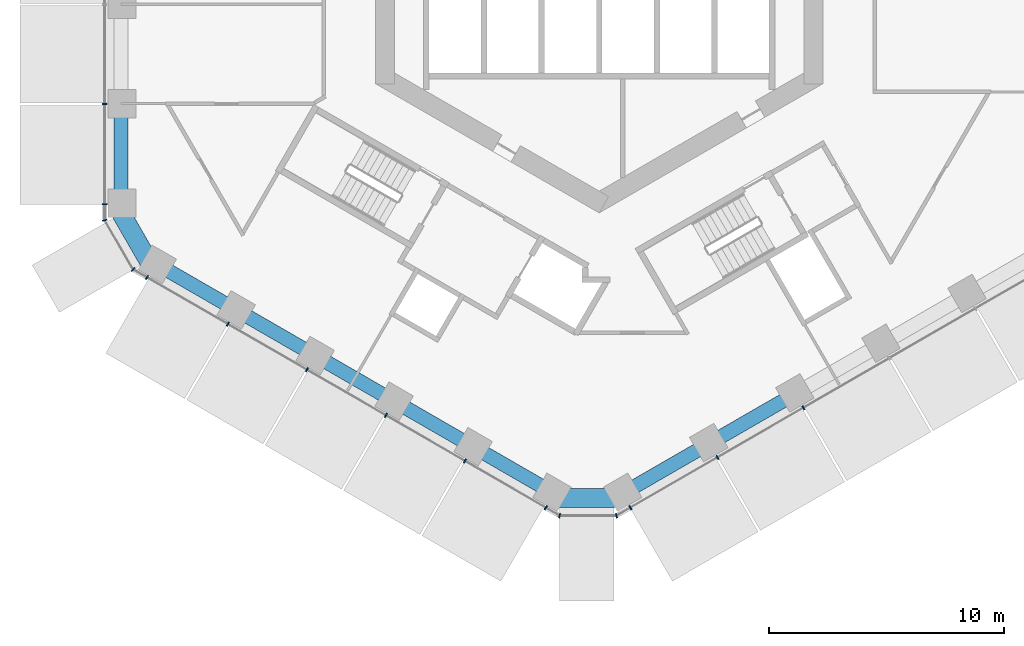
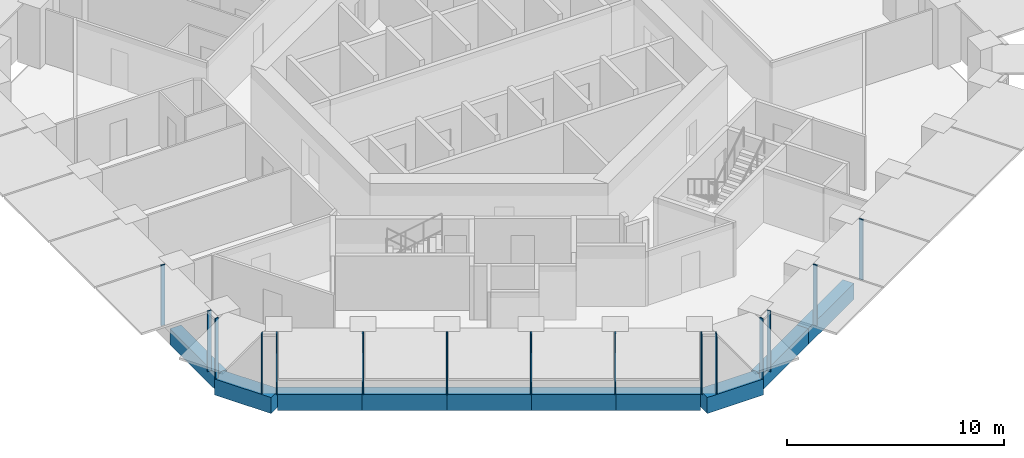
# One storey, part 2 of 19: 15 members, 10 beams, 5 elements without a shape of their own.
"""IFC4 building model written with IfcOpenShell, lengths in metres."""

from ifc_helpers import new_model, si_unit, direction, frame, origin, origin_2d, place, context, subcontext, project, spatial, rectangle, extrude, material, layer, layer_set, material_profile, profile_set, type_object, element, aggregate, save


model = new_model("IFC4")

# Units and contexts
model_context = context("Model", 3, precision=1e-05, world=origin(), true_north=direction((0.0, 1.0)))
body_context = subcontext(model_context, "Body", "Model", "MODEL_VIEW")
ifc_project = project(units=[si_unit("LENGTHUNIT", "METRE"), si_unit("AREAUNIT", "SQUARE_METRE"), si_unit("VOLUMEUNIT", "CUBIC_METRE"), si_unit("PLANEANGLEUNIT", "RADIAN"), si_unit("MASSUNIT", "GRAM", prefix="KILO")], contexts=[model_context])

# Site, building, storey
site_placement = place(None, origin())
site = spatial("IfcSite", under=ifc_project, at=site_placement, CompositionType="ELEMENT")
building_placement = place(site_placement, origin())
building = spatial("IfcBuilding", under=site, at=building_placement, Name="Ayvan Gate Tower", CompositionType="ELEMENT")
storey_placement = place(building_placement, frame((0.0, 0.0, 52.699951171875)))
storey = spatial("IfcBuildingStorey", under=building, at=storey_placement, Name="L13", CompositionType="ELEMENT", Elevation=52.699951171875)

# Beams
ifc_material_1 = material(Name="Concrete C40/50", Category="concrete")
ifc_material_profile_1 = material_profile(ifc_material_1, rectangle(XDim=0.800048828125, YDim=0.89990234375, at=origin_2d()), Name="RC 800x900")
ifc_profile_set_1 = profile_set([ifc_material_profile_1], Name="Concrete C40/50")
beam_type_1 = type_object("IfcBeamType", Name="Corner spandrel beam RC 800x900 C40/50", PredefinedType="BEAM", material=ifc_profile_set_1)
for number, where, z_axis, x_axis, name in (
    (1, (-20.514404296875, -10.64404296875, -0.800048828125), (0.499990139034, -0.866031096941, 0.0), (0.866031096941, 0.499990139034, 0.0), "SB-L13-24"),
    (2, (-1.960693359375, -23.087890625, -0.800048828125), (1.0, 0.0, 0.0), (0.0, 1.0, 0.0), "SB-L13-30"),
):
    element("IfcBeam", number, at=place(storey_placement, frame(where, z_axis=z_axis, x_axis=x_axis)), inside=storey, type_object=beam_type_1, Name=name, PredefinedType="BEAM", context=body_context, shape_type="SweptSolid", body=[
        extrude(rectangle(XDim=0.800048828125, YDim=0.89990234375, at=origin_2d()), origin(), (0.0, 0.0, 1.0), 3.0),
    ])
ifc_material_profile_2 = material_profile(ifc_material_1, rectangle(XDim=0.60009765625, YDim=0.89990234375, at=origin_2d()), Name="RC 600x900")
ifc_profile_set_2 = profile_set([ifc_material_profile_2], Name="Concrete C40/50")
beam_type_2 = type_object("IfcBeamType", Name="Spandrel beam RC 600x900 C40/50", PredefinedType="BEAM", material=ifc_profile_set_2)
beam_1_placement = place(storey_placement, frame((-20.32373046875, -6.3203125, -0.800048828125), z_axis=(0.0, -1.0, 0.0), x_axis=(1.0, 0.0, 0.0)))
element("IfcBeam", 3, at=beam_1_placement, inside=storey, type_object=beam_type_2, Name="SB-L13-23", PredefinedType="BEAM", context=body_context, shape_type="SweptSolid", body=[
    extrude(rectangle(XDim=0.60009765625, YDim=0.89990234375, at=origin_2d()), origin(), (0.0, 0.0, 1.0), 4.213623046875),
])
for number, where, z_axis, x_axis, name in (
    (4, (-18.82373046875, -13.132080078125, -0.800048828125), (0.866012281633, -0.500022727545, 0.0), (0.500022727545, 0.866012281633, 0.0), "SB-L13-25"),
    (5, (-15.451171875, -15.079345703125, -0.800048828125), (0.866039427992, -0.499975708574, 0.0), (0.499975708574, 0.866039427992, 0.0), "SB-L13-26"),
    (6, (-12.07861328125, -17.0263671875, -0.800048828125), (0.866012281633, -0.500022727545, 0.0), (0.500022727545, 0.866012281633, 0.0), "SB-L13-27"),
    (7, (-8.7060546875, -18.9736328125, -0.800048828125), (0.866039427992, -0.499975708574, 0.0), (0.499975708574, 0.866039427992, 0.0), "SB-L13-28"),
):
    element("IfcBeam", number, at=place(storey_placement, frame(where, z_axis=z_axis, x_axis=x_axis)), inside=storey, type_object=beam_type_2, Name=name, PredefinedType="BEAM", context=body_context, shape_type="SweptSolid", body=[
        extrude(rectangle(XDim=0.60009765625, YDim=0.89990234375, at=origin_2d()), origin(), (0.0, 0.0, 1.0), 3.894287109375),
    ])
beam_2_placement = place(storey_placement, frame((-5.33349609375, -20.920654296875, -0.800048828125), z_axis=(0.86602795451, -0.499995581988, 0.0), x_axis=(0.499995581988, 0.86602795451, 0.0)))
element("IfcBeam", 8, at=beam_2_placement, inside=storey, type_object=beam_type_2, Name="SB-L13-29", PredefinedType="BEAM", context=body_context, shape_type="SweptSolid", body=[
    extrude(rectangle(XDim=0.60009765625, YDim=0.89990234375, at=origin_2d()), origin(), (0.0, 0.0, 1.0), 3.89453125),
])
beam_3_placement = place(storey_placement, frame((1.039306640625, -22.867919921875, -0.800048828125), z_axis=(0.866027338831, 0.499996648386, 0.0), x_axis=(-0.499996648386, 0.866027338831, 0.0)))
element("IfcBeam", 9, at=beam_3_placement, inside=storey, type_object=beam_type_2, Name="SB-L13-31", PredefinedType="BEAM", context=body_context, shape_type="SweptSolid", body=[
    extrude(rectangle(XDim=0.60009765625, YDim=0.89990234375, at=origin_2d()), origin(), (0.0, 0.0, 1.0), 4.21337890625),
])
beam_4_placement = place(storey_placement, frame((4.688232421875, -20.76123046875, -0.800048828125), z_axis=(0.866016734951, 0.50001501456, 0.0), x_axis=(-0.50001501456, 0.866016734951, 0.0)))
element("IfcBeam", 10, at=beam_4_placement, inside=storey, type_object=beam_type_2, Name="SB-L13-32", PredefinedType="BEAM", context=body_context, shape_type="SweptSolid", body=[
    extrude(rectangle(XDim=0.60009765625, YDim=0.89990234375, at=origin_2d()), origin(), (0.0, 0.0, 1.0), 4.213623046875),
])

# Curtain wall, members
ifc_material_2 = material(Name="Bronze anodised aluminium", Category="aluminium")
ifc_layer_1 = layer(ifc_material_2, 0.199951171875)
ifc_layer_set_1 = layer_set([ifc_layer_1], Name="Bronze anodised aluminium")
curtain_wall_type_1 = type_object("IfcCurtainWallType", Name="Stick curtain wall CW-1", PredefinedType="NOTDEFINED", material=ifc_layer_set_1)
curtain_wall_1_placement = place(storey_placement, origin())
curtain_wall_1 = element("IfcCurtainWall", 11, at=curtain_wall_1_placement, inside=storey, type_object=curtain_wall_type_1, Name="Stick curtain wall CW-1 L13", PredefinedType="NOTDEFINED")
ifc_material_profile_3 = material_profile(ifc_material_2, rectangle(XDim=0.199951171875, YDim=0.06005859375, at=origin_2d()), Name="Stick curtain wall CW-1 mullion 200 x 60")
ifc_profile_set_3 = profile_set([ifc_material_profile_3], Name="Bronze anodised aluminium")
member_type_1 = type_object("IfcMemberType", Name="Stick curtain wall CW-1 mullion 200 x 60", PredefinedType="MULLION", material=ifc_profile_set_3)
member_1_placement = place(storey_placement, frame((-21.009765625, -6.335693359375, 0.0), z_axis=(0.0, 0.0, 1.0), x_axis=(-1.0, 0.0, 0.0)))
member_1 = element("IfcMember", 12, at=member_1_placement, type_object=member_type_1, Name="CW-1 mullion 5", PredefinedType="MULLION", context=body_context, shape_type="SweptSolid", body=[
    extrude(rectangle(XDim=0.199951171875, YDim=0.06005859375, at=origin_2d()), origin(), (0.0, 0.0, 1.0), 3.400146484375),
])
member_2_placement = place(storey_placement, frame((-21.009765625, -10.604248046875, 0.0), z_axis=(0.0, 0.0, 1.0), x_axis=(-1.0, 0.0, 0.0)))
member_2 = element("IfcMember", 13, at=member_2_placement, type_object=member_type_1, Name="CW-1 mullion 6", PredefinedType="MULLION", context=body_context, shape_type="SweptSolid", body=[
    extrude(rectangle(XDim=0.199951171875, YDim=0.06005859375, at=origin_2d()), origin(), (0.0, 0.0, 1.0), 3.400146484375),
])
aggregate(curtain_wall_1, [member_1, member_2])

curtain_wall_2_placement = place(storey_placement, origin())
curtain_wall_2 = element("IfcCurtainWall", 14, at=curtain_wall_2_placement, inside=storey, type_object=curtain_wall_type_1, Name="Stick curtain wall CW-1 L13", PredefinedType="NOTDEFINED")
member_3_placement = place(storey_placement, frame((-19.213623046875, -13.71533203125, 0.0), z_axis=(0.0, 0.0, 1.0), x_axis=(-0.5, -0.866025403784, 0.0)))
member_3 = element("IfcMember", 15, at=member_3_placement, type_object=member_type_1, Name="CW-1 mullion 1", PredefinedType="MULLION", context=body_context, shape_type="SweptSolid", body=[
    extrude(rectangle(XDim=0.199951171875, YDim=0.06005859375, at=origin_2d()), origin(), (0.0, 0.0, 1.0), 3.400146484375),
])
member_4_placement = place(storey_placement, frame((-15.774658203125, -15.70068359375, 0.0), z_axis=(0.0, 0.0, 1.0), x_axis=(-0.5, -0.866025403784, 0.0)))
member_4 = element("IfcMember", 16, at=member_4_placement, type_object=member_type_1, Name="CW-1 mullion 2", PredefinedType="MULLION", context=body_context, shape_type="SweptSolid", body=[
    extrude(rectangle(XDim=0.199951171875, YDim=0.06005859375, at=origin_2d()), origin(), (0.0, 0.0, 1.0), 3.400146484375),
])
member_5_placement = place(storey_placement, frame((-12.419677734375, -17.6376953125, 0.0), z_axis=(0.0, 0.0, 1.0), x_axis=(-0.5, -0.866025403784, 0.0)))
member_5 = element("IfcMember", 17, at=member_5_placement, type_object=member_type_1, Name="CW-1 mullion 3", PredefinedType="MULLION", context=body_context, shape_type="SweptSolid", body=[
    extrude(rectangle(XDim=0.199951171875, YDim=0.06005859375, at=origin_2d()), origin(), (0.0, 0.0, 1.0), 3.400146484375),
])
member_6_placement = place(storey_placement, frame((-9.064697265625, -19.57470703125, 0.0), z_axis=(0.0, 0.0, 1.0), x_axis=(-0.5, -0.866025403784, 0.0)))
member_6 = element("IfcMember", 18, at=member_6_placement, type_object=member_type_1, Name="CW-1 mullion 4", PredefinedType="MULLION", context=body_context, shape_type="SweptSolid", body=[
    extrude(rectangle(XDim=0.199951171875, YDim=0.06005859375, at=origin_2d()), origin(), (0.0, 0.0, 1.0), 3.400146484375),
])
member_7_placement = place(storey_placement, frame((-5.709716796875, -21.51171875, 0.0), z_axis=(0.0, 0.0, 1.0), x_axis=(-0.5, -0.866025403784, 0.0)))
member_7 = element("IfcMember", 19, at=member_7_placement, type_object=member_type_1, Name="CW-1 mullion 5", PredefinedType="MULLION", context=body_context, shape_type="SweptSolid", body=[
    extrude(rectangle(XDim=0.199951171875, YDim=0.06005859375, at=origin_2d()), origin(), (0.0, 0.0, 1.0), 3.400146484375),
])
member_8_placement = place(storey_placement, frame((-2.27099609375, -23.4970703125, 0.0), z_axis=(0.0, 0.0, 1.0), x_axis=(-0.5, -0.866025403784, 0.0)))
member_8 = element("IfcMember", 20, at=member_8_placement, type_object=member_type_1, Name="CW-1 mullion 6", PredefinedType="MULLION", context=body_context, shape_type="SweptSolid", body=[
    extrude(rectangle(XDim=0.199951171875, YDim=0.06005859375, at=origin_2d()), origin(), (0.0, 0.0, 1.0), 3.400146484375),
])
aggregate(curtain_wall_2, [member_3, member_4, member_5, member_6, member_7, member_8])

curtain_wall_3_placement = place(storey_placement, origin())
curtain_wall_3 = element("IfcCurtainWall", 21, at=curtain_wall_3_placement, inside=storey, type_object=curtain_wall_type_1, Name="Stick curtain wall CW-1 L13", PredefinedType="NOTDEFINED")
member_9_placement = place(storey_placement, frame((1.3212890625, -23.4970703125, 0.0), z_axis=(0.0, 0.0, 1.0), x_axis=(0.5, -0.866025403784, 0.0)))
member_9 = element("IfcMember", 22, at=member_9_placement, type_object=member_type_1, Name="CW-1 mullion 1", PredefinedType="MULLION", context=body_context, shape_type="SweptSolid", body=[
    extrude(rectangle(XDim=0.199951171875, YDim=0.06005859375, at=origin_2d()), origin(), (0.0, 0.0, 1.0), 3.400146484375),
])
member_10_placement = place(storey_placement, frame((5.0185546875, -21.362548828125, 0.0), z_axis=(0.0, 0.0, 1.0), x_axis=(0.5, -0.866025403784, 0.0)))
member_10 = element("IfcMember", 23, at=member_10_placement, type_object=member_type_1, Name="CW-1 mullion 2", PredefinedType="MULLION", context=body_context, shape_type="SweptSolid", body=[
    extrude(rectangle(XDim=0.199951171875, YDim=0.06005859375, at=origin_2d()), origin(), (0.0, 0.0, 1.0), 3.400146484375),
])
member_11_placement = place(storey_placement, frame((8.67578125, -19.251220703125, 0.0), z_axis=(0.0, 0.0, 1.0), x_axis=(0.5, -0.866025403784, 0.0)))
member_11 = element("IfcMember", 24, at=member_11_placement, type_object=member_type_1, Name="CW-1 mullion 3", PredefinedType="MULLION", context=body_context, shape_type="SweptSolid", body=[
    extrude(rectangle(XDim=0.199951171875, YDim=0.06005859375, at=origin_2d()), origin(), (0.0, 0.0, 1.0), 3.400146484375),
])
aggregate(curtain_wall_3, [member_9, member_10, member_11])

ifc_layer_2 = layer(ifc_material_2, 0.199951171875)
ifc_layer_set_2 = layer_set([ifc_layer_2], Name="Bronze anodised aluminium")
curtain_wall_type_2 = type_object("IfcCurtainWallType", Name="Stick curtain wall CW-6", PredefinedType="NOTDEFINED", material=ifc_layer_set_2)
curtain_wall_4_placement = place(storey_placement, origin())
curtain_wall_4 = element("IfcCurtainWall", 25, at=curtain_wall_4_placement, inside=storey, type_object=curtain_wall_type_2, Name="Stick curtain wall CW-6 L13", PredefinedType="NOTDEFINED")
ifc_material_profile_4 = material_profile(ifc_material_2, rectangle(XDim=0.199951171875, YDim=0.050048828125, at=origin_2d()), Name="Stick curtain wall CW-6 mullion 200 x 50")
ifc_profile_set_4 = profile_set([ifc_material_profile_4], Name="Bronze anodised aluminium")
member_type_2 = type_object("IfcMemberType", Name="Stick curtain wall CW-6 mullion 200 x 50", PredefinedType="MULLION", material=ifc_profile_set_4)
member_12_placement = place(storey_placement, frame((-21.009765625, -11.2841796875, 0.0), z_axis=(0.0, 0.0, 1.0), x_axis=(-0.965925826289, -0.258819045103, 0.0)))
member_12 = element("IfcMember", 26, at=member_12_placement, type_object=member_type_2, Name="CW-6 mullion 2", PredefinedType="MULLION", context=body_context, shape_type="SweptSolid", body=[
    extrude(rectangle(XDim=0.199951171875, YDim=0.050048828125, at=origin_2d()), origin(), (0.0, 0.0, 1.0), 3.400146484375),
])
member_13_placement = place(storey_placement, frame((-19.802490234375, -13.375244140625, 0.0), z_axis=(0.0, 0.0, 1.0), x_axis=(-0.707106781187, -0.707106781187, 0.0)))
member_13 = element("IfcMember", 27, at=member_13_placement, type_object=member_type_2, Name="CW-6 mullion 3", PredefinedType="MULLION", context=body_context, shape_type="SweptSolid", body=[
    extrude(rectangle(XDim=0.199951171875, YDim=0.050048828125, at=origin_2d()), origin(), (0.0, 0.0, 1.0), 3.400146484375),
])
aggregate(curtain_wall_4, [member_12, member_13])

curtain_wall_5_placement = place(storey_placement, origin())
curtain_wall_5 = element("IfcCurtainWall", 28, at=curtain_wall_5_placement, inside=storey, type_object=curtain_wall_type_2, Name="Stick curtain wall CW-6 L13", PredefinedType="NOTDEFINED")
member_14_placement = place(storey_placement, frame((-1.68212890625, -23.837158203125, 0.0), z_axis=(0.0, 0.0, 1.0), x_axis=(-0.258819045103, -0.965925826289, 0.0)))
member_14 = element("IfcMember", 29, at=member_14_placement, type_object=member_type_2, Name="CW-6 mullion 2", PredefinedType="MULLION", context=body_context, shape_type="SweptSolid", body=[
    extrude(rectangle(XDim=0.199951171875, YDim=0.050048828125, at=origin_2d()), origin(), (0.0, 0.0, 1.0), 3.400146484375),
])
member_15_placement = place(storey_placement, frame((0.732421875, -23.837158203125, 0.0), z_axis=(0.0, 0.0, 1.0), x_axis=(0.258819045103, -0.965925826289, 0.0)))
member_15 = element("IfcMember", 30, at=member_15_placement, type_object=member_type_2, Name="CW-6 mullion 3", PredefinedType="MULLION", context=body_context, shape_type="SweptSolid", body=[
    extrude(rectangle(XDim=0.199951171875, YDim=0.050048828125, at=origin_2d()), origin(), (0.0, 0.0, 1.0), 3.400146484375),
])
aggregate(curtain_wall_5, [member_14, member_15])

save(model, "model.ifc")
